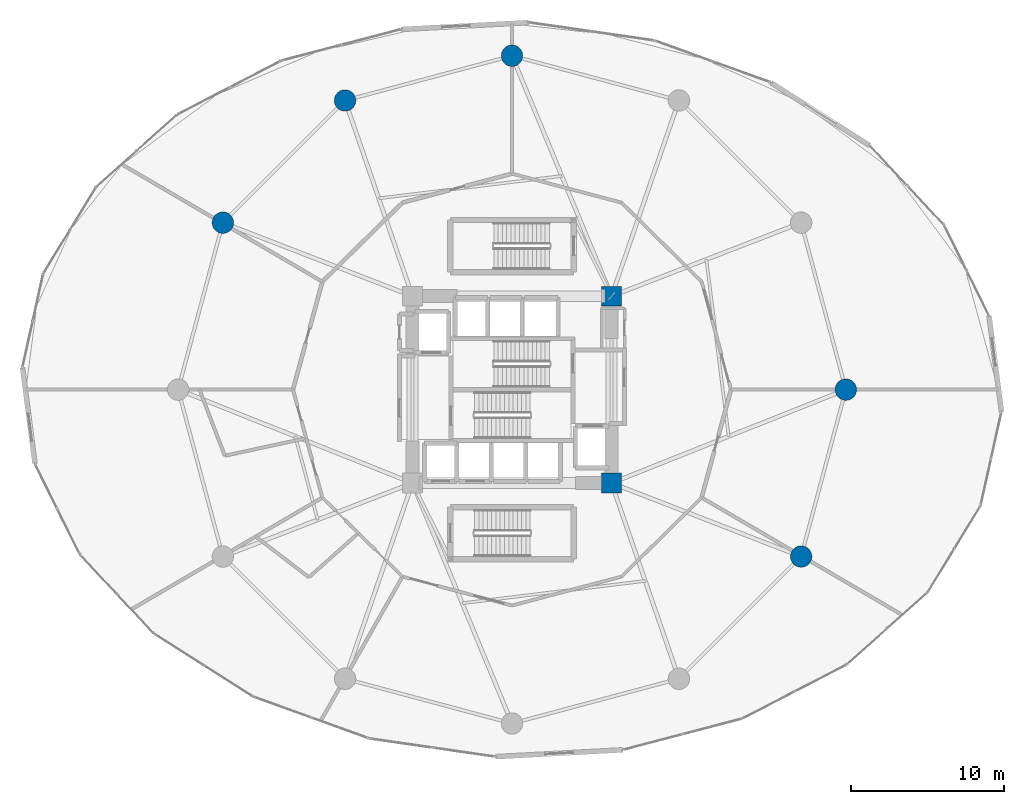
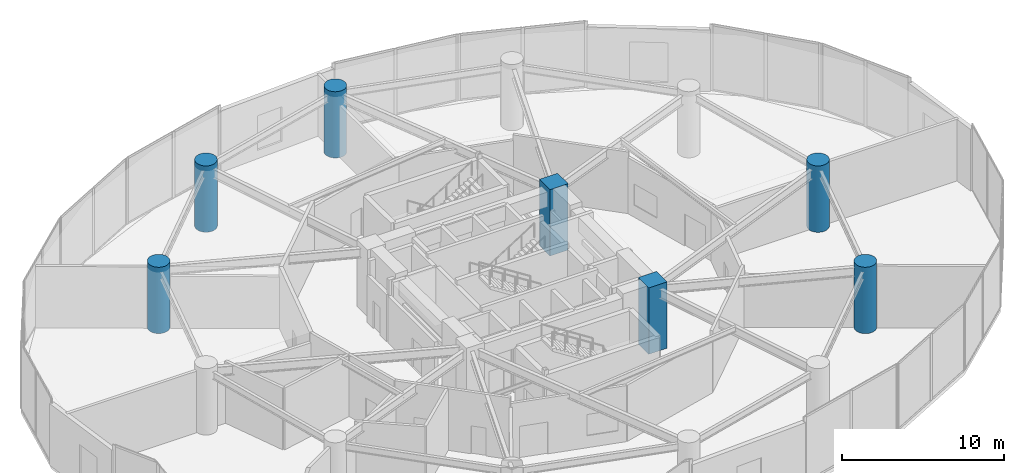
# One storey, part 2 of 31: 7 columns.
"""IFC4 building model written with IfcOpenShell, lengths in metres."""

from ifc_helpers import new_model, si_unit, direction, frame, origin, origin_2d, place, context, subcontext, project, spatial, rectangle, circle, extrude, material, material_profile, profile_set, type_object, element, save


model = new_model("IFC4")

# Units and contexts
model_context = context("Model", 3, precision=1e-05, world=origin(), true_north=direction((0.0, 1.0)))
body_context = subcontext(model_context, "Body", "Model", "MODEL_VIEW")
ifc_project = project(units=[si_unit("LENGTHUNIT", "METRE"), si_unit("AREAUNIT", "SQUARE_METRE"), si_unit("VOLUMEUNIT", "CUBIC_METRE"), si_unit("PLANEANGLEUNIT", "RADIAN"), si_unit("MASSUNIT", "GRAM", prefix="KILO")], contexts=[model_context])

# Site, building, storey
site_placement = place(None, origin())
site = spatial("IfcSite", under=ifc_project, at=site_placement, CompositionType="ELEMENT")
building_placement = place(site_placement, origin())
building = spatial("IfcBuilding", under=site, at=building_placement, Name="Solvirekh Grand Hotel", CompositionType="ELEMENT")
storey_placement = place(building_placement, frame((0.0, 0.0, 18.60009765625)))
storey = spatial("IfcBuildingStorey", under=building, at=storey_placement, Name="L03", CompositionType="ELEMENT", Elevation=18.60009765625)

# Columns
ifc_material = material(Name="Concrete C60/75", Category="concrete")
ifc_material_profile_1 = material_profile(ifc_material, circle(Radius=0.699951171875, at=origin_2d()), Name="RC CIRC D1400")
ifc_profile_set_1 = profile_set([ifc_material_profile_1], Name="Concrete C60/75")
column_type_1 = type_object("IfcColumnType", Name="Col_Base_D1400", PredefinedType="COLUMN", material=ifc_profile_set_1)
for number, where, z_axis, x_axis, name in (
    (1, (21.800048828125, 0.0, 0.0), (0.0, 0.0, 1.0), (1.0, 0.0, 0.0), "L03 perimeter column P01"),
    (2, (0.0, 21.800048828125, 0.0), (0.0, 0.0, 1.0), (1.0, 0.0, 0.0), "L03 perimeter column P04"),
    (3, (-10.89990234375, 18.87890625, 0.0), (0.0, 0.0, 1.0), (1.0, 0.0, 0.0), "L03 perimeter column P05"),
    (4, (-18.87890625, 10.89990234375, 0.0), (0.0, 0.0, 1.0), (1.0, 0.0, 0.0), "L03 perimeter column P06"),
    (5, (18.87890625, -10.89990234375, 0.0), (0.0, 0.0, 1.0), (1.0, 0.0, 0.0), "L03 perimeter column P12"),
):
    element("IfcColumn", number, at=place(storey_placement, frame(where, z_axis=z_axis, x_axis=x_axis)), inside=storey, type_object=column_type_1, Name=name, PredefinedType="COLUMN", context=body_context, shape_type="SweptSolid", body=[
        extrude(circle(Radius=0.699951171875, at=origin_2d()), origin(), (0.0, 0.0, 1.0), 5.0),
    ])
ifc_material_profile_2 = material_profile(ifc_material, rectangle(XDim=1.300048828125, YDim=1.300048828125, at=origin_2d()), Name="RC 1300X1300")
ifc_profile_set_2 = profile_set([ifc_material_profile_2], Name="Concrete C60/75")
column_type_2 = type_object("IfcColumnType", Name="Col_Core_1300", PredefinedType="COLUMN", material=ifc_profile_set_2)
for number, where, z_axis, x_axis, name in (
    (6, (6.5, -6.10009765625, 0.0), (0.0, 0.0, 1.0), (1.0, 0.0, 0.0), "L03 core corner column CC2"),
    (7, (6.5, 6.10009765625, 0.0), (0.0, 0.0, 1.0), (1.0, 0.0, 0.0), "L03 core corner column CC3"),
):
    element("IfcColumn", number, at=place(storey_placement, frame(where, z_axis=z_axis, x_axis=x_axis)), inside=storey, type_object=column_type_2, Name=name, PredefinedType="COLUMN", context=body_context, shape_type="SweptSolid", body=[
        extrude(rectangle(XDim=1.300048828125, YDim=1.300048828125, at=origin_2d()), origin(), (0.0, 0.0, 1.0), 5.0),
    ])

save(model, "model.ifc")
